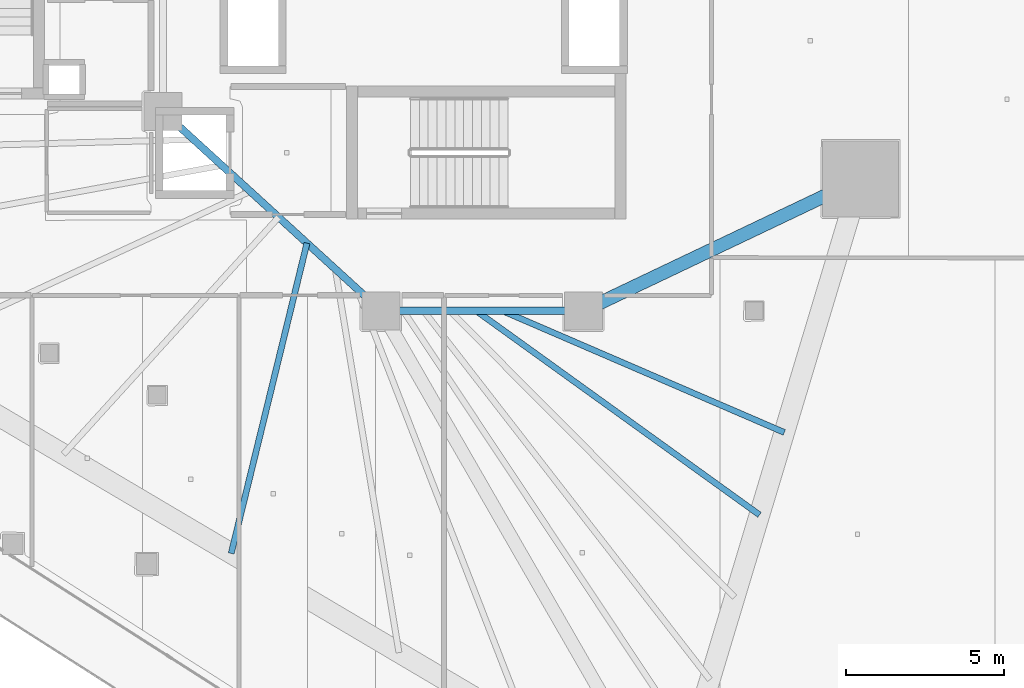
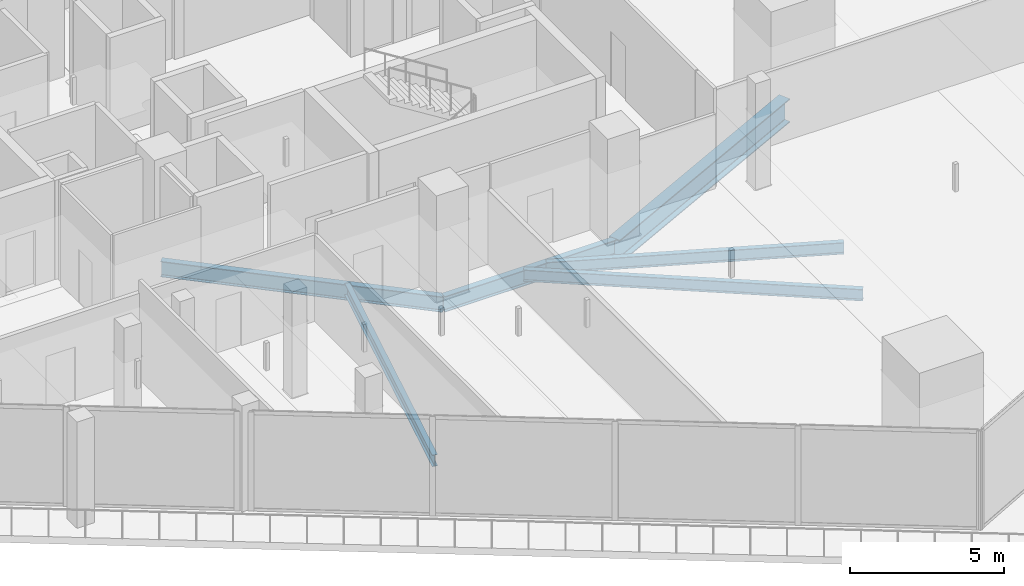
# One storey, part 12 of 47: 6 beams.
"""IFC4 building model written with IfcOpenShell, lengths in metres."""

from ifc_helpers import new_model, si_unit, direction, frame, origin, origin_2d, place, context, subcontext, project, spatial, i_section, extrude, material, material_profile, profile_set, type_object, element, save


model = new_model("IFC4")

# Units and contexts
model_context = context("Model", 3, precision=1e-05, world=origin(), true_north=direction((0.0, 1.0)))
body_context = subcontext(model_context, "Body", "Model", "MODEL_VIEW")
ifc_project = project(units=[si_unit("LENGTHUNIT", "METRE"), si_unit("AREAUNIT", "SQUARE_METRE"), si_unit("VOLUMEUNIT", "CUBIC_METRE"), si_unit("PLANEANGLEUNIT", "RADIAN"), si_unit("MASSUNIT", "GRAM", prefix="KILO")], contexts=[model_context])

# Site, building, storey
site_placement = place(None, origin())
site = spatial("IfcSite", under=ifc_project, at=site_placement, CompositionType="ELEMENT")
building_placement = place(site_placement, origin())
building = spatial("IfcBuilding", under=site, at=building_placement, Name="Qorvath Tower", CompositionType="ELEMENT")
storey_placement = place(building_placement, frame((0.0, 0.0, 82.800048828125)))
storey = spatial("IfcBuildingStorey", under=building, at=storey_placement, Name="L18", CompositionType="ELEMENT", Elevation=82.800048828125)

# Beams
ifc_material_1 = material(Name="Steel ASTM A992 Grade 50", Category="steel")
ifc_material_profile_1 = material_profile(ifc_material_1, i_section(OverallWidth=0.422119140625, OverallDepth=0.93310546875, WebThickness=0.021240234375, FlangeThickness=0.039794921875, FilletRadius=0.02392578125, at=origin_2d()), Name="W36x262")
ifc_profile_set_1 = profile_set([ifc_material_profile_1], Name="Steel ASTM A992 Grade 50")
beam_type_1 = type_object("IfcBeamType", Name="BM-FG1", PredefinedType="BEAM", material=ifc_profile_set_1)
beam_1_placement = place(storey_placement, frame((-17.199951171875, -11.449951171875, -0.74658203125), z_axis=(0.902955751435, 0.429733534821, 0.0), x_axis=(-0.429733534821, 0.902955751435, 0.0)))
element("IfcBeam", 1, at=beam_1_placement, inside=storey, type_object=beam_type_1, Name="Radial Floor Girder CC3-MC4 L18", PredefinedType="BEAM", context=body_context, shape_type="SweptSolid", body=[
    extrude(i_section(OverallWidth=0.422119140625, OverallDepth=0.93310546875, WebThickness=0.021240234375, FlangeThickness=0.039794921875, FilletRadius=0.02392578125, at=origin_2d()), origin(), (0.0, 0.0, 1.0), 9.7119140625),
])
ifc_material_2 = material(Name="Steel ASTM A992 Grade 50", Category="steel")
ifc_material_profile_2 = material_profile(ifc_material_2, i_section(OverallWidth=0.22998046875, OverallDepth=0.616943359375, WebThickness=0.01318359375, FlangeThickness=0.022216796875, FilletRadius=0.014892578125, at=origin_2d()), Name="W24x94")
ifc_profile_set_2 = profile_set([ifc_material_profile_2], Name="Steel ASTM A992 Grade 50")
beam_type_2 = type_object("IfcBeamType", Name="BM-FG6", PredefinedType="BEAM", material=ifc_profile_set_2)
beam_2_placement = place(storey_placement, frame((-17.199951171875, -11.449951171875, -0.588623046875), z_axis=(-1.0, 0.0, 0.0), x_axis=(0.0, -1.0, 0.0)))
element("IfcBeam", 2, at=beam_2_placement, inside=storey, type_object=beam_type_2, Name="Core Ring Girder CC3-CC4 L18", PredefinedType="BEAM", context=body_context, shape_type="SweptSolid", body=[
    extrude(i_section(OverallWidth=0.22998046875, OverallDepth=0.616943359375, WebThickness=0.01318359375, FlangeThickness=0.022216796875, FilletRadius=0.014892578125, at=origin_2d()), origin(), (0.0, 0.0, 1.0), 6.400146484375),
])
beam_3_placement = place(storey_placement, frame((-23.60009765625, -11.449951171875, -0.588623046875), z_axis=(-0.73847813985, 0.6742774184, 0.0), x_axis=(-0.6742774184, -0.73847813985, 0.0)))
element("IfcBeam", 3, at=beam_3_placement, inside=storey, type_object=beam_type_2, Name="Core Ring Girder CC4-CC6 L18", PredefinedType="BEAM", context=body_context, shape_type="SweptSolid", body=[
    extrude(i_section(OverallWidth=0.22998046875, OverallDepth=0.616943359375, WebThickness=0.01318359375, FlangeThickness=0.022216796875, FilletRadius=0.014892578125, at=origin_2d()), origin(), (0.0, 0.0, 1.0), 9.343505859375),
])
ifc_material_3 = material(Name="Steel ASTM A992 Grade 50", Category="steel")
ifc_material_profile_3 = material_profile(ifc_material_3, i_section(OverallWidth=0.18994140625, OverallDepth=0.45703125, WebThickness=0.009033203125, FlangeThickness=0.014404296875, FilletRadius=0.011962890625, at=origin_2d()), Name="W18x50")
ifc_profile_set_3 = profile_set([ifc_material_profile_3], Name="Steel ASTM A992 Grade 50")
beam_type_3 = type_object("IfcBeamType", Name="BM-FJ2", PredefinedType="JOIST", material=ifc_profile_set_3)
beam_4_placement = place(storey_placement, frame((-19.760009765625, -11.449951171875, -0.508544921875), z_axis=(0.918135537923, -0.396266493667, 0.0), x_axis=(0.396266493667, 0.918135537923, 0.0)))
element("IfcBeam", 4, at=beam_4_placement, inside=storey, type_object=beam_type_3, Name="Composite Floor Joist SE3 L18", PredefinedType="JOIST", context=body_context, shape_type="SweptSolid", body=[
    extrude(i_section(OverallWidth=0.18994140625, OverallDepth=0.45703125, WebThickness=0.009033203125, FlangeThickness=0.014404296875, FilletRadius=0.011962890625, at=origin_2d()), origin(), (0.0, 0.0, 1.0), 9.7109375),
])
beam_5_placement = place(storey_placement, frame((-20.592041015625, -11.449951171875, -0.508544921875), z_axis=(0.811469358397, -0.584394969505, 0.0), x_axis=(0.584394969505, 0.811469358397, 0.0)))
element("IfcBeam", 5, at=beam_5_placement, inside=storey, type_object=beam_type_3, Name="Composite Floor Joist SE4 L18", PredefinedType="JOIST", context=body_context, shape_type="SweptSolid", body=[
    extrude(i_section(OverallWidth=0.18994140625, OverallDepth=0.45703125, WebThickness=0.009033203125, FlangeThickness=0.014404296875, FilletRadius=0.011962890625, at=origin_2d()), origin(), (0.0, 0.0, 1.0), 11.046142578125),
])
beam_6_placement = place(storey_placement, frame((-25.946044921875, -9.30810546875, -0.508544921875), z_axis=(-0.237165308581, -0.97146930801, 0.0), x_axis=(0.97146930801, -0.237165308581, 0.0)))
element("IfcBeam", 6, at=beam_6_placement, inside=storey, type_object=beam_type_3, Name="Composite Floor Joist SW5 L18", PredefinedType="JOIST", context=body_context, shape_type="SweptSolid", body=[
    extrude(i_section(OverallWidth=0.18994140625, OverallDepth=0.45703125, WebThickness=0.009033203125, FlangeThickness=0.014404296875, FilletRadius=0.011962890625, at=origin_2d()), origin(), (0.0, 0.0, 1.0), 10.104736328125),
])

save(model, "model.ifc")
